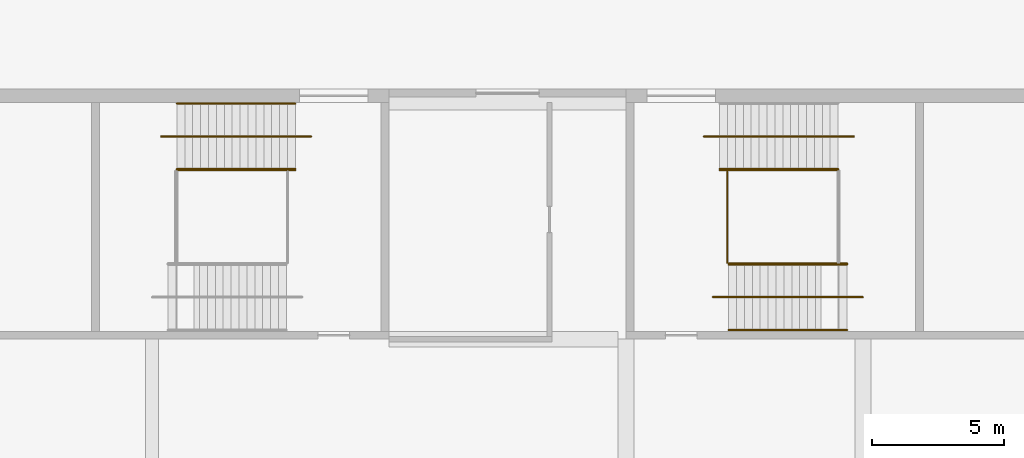
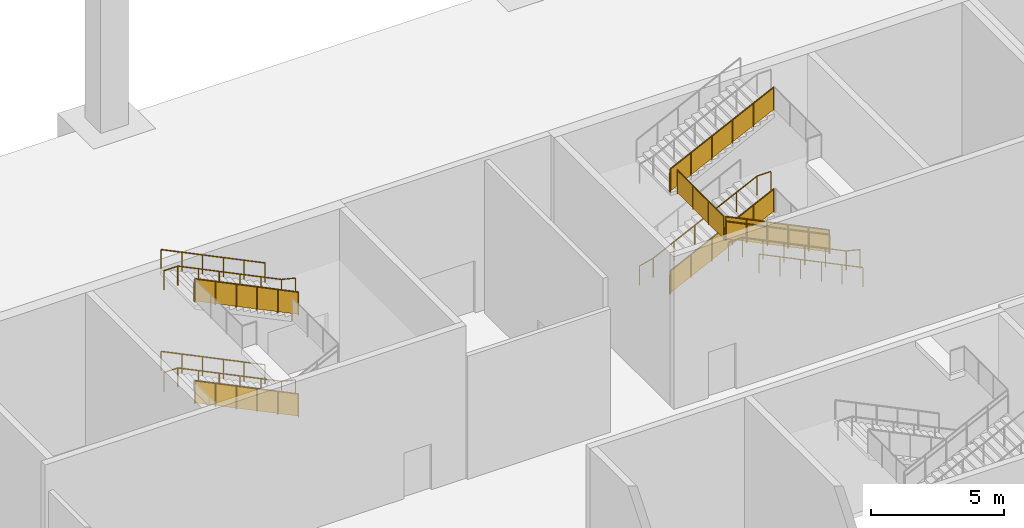
# One storey, part 86 of 92: 17 railings.
"""IFC4 building model written with IfcOpenShell, lengths in metres."""

from ifc_helpers import new_model, si_unit, direction, frame, origin, origin_2d, place, context, subcontext, project, spatial, polyline, circle, outline, extrude, material, type_object, element, save


model = new_model("IFC4")

# Units and contexts
model_context = context("Model", 3, precision=1e-05, world=origin(), true_north=direction((0.0, 1.0)))
body_context = subcontext(model_context, "Body", "Model", "MODEL_VIEW")
ifc_project = project(units=[si_unit("LENGTHUNIT", "METRE"), si_unit("AREAUNIT", "SQUARE_METRE"), si_unit("VOLUMEUNIT", "CUBIC_METRE"), si_unit("PLANEANGLEUNIT", "RADIAN"), si_unit("MASSUNIT", "GRAM", prefix="KILO")], contexts=[model_context])

# Site, building, storey
site_placement = place(None, origin())
site = spatial("IfcSite", under=ifc_project, at=site_placement, CompositionType="ELEMENT")
building_placement = place(site_placement, origin())
building = spatial("IfcBuilding", under=site, at=building_placement, Name="Silverbay Arena", CompositionType="ELEMENT")
storey_placement = place(building_placement, origin())
storey = spatial("IfcBuildingStorey", under=building, at=storey_placement, Name="L00", CompositionType="ELEMENT", Elevation=0.0)

# Railings
ifc_material_1 = material(Name="Stainless steel", Category="steel")
railing_type_1 = type_object("IfcRailingType", Name="Stair guard 1100", PredefinedType="GUARDRAIL", material=ifc_material_1)
railing_1_placement = place(storey_placement, frame((84.556884765625, 141.425048828125, 0.145751953125)))
element("IfcRailing", 1, at=railing_1_placement, inside=storey, type_object=railing_type_1, Name="Stair ST-N1 L00 to L01 flight 1 guard left", PredefinedType="GUARDRAIL", context=body_context, shape_type="SweptSolid", body=[
    extrude(circle(Radius=0.02392578125, at=origin_2d()), frame((0.0, 0.0, 1.076171875), z_axis=(0.899367854138, 0.0, 0.437192706873), x_axis=(0.0, 1.0, 0.0)), (0.0, 0.0, 1.0), 5.00341796875),
    extrude(outline(polyline([(-0.008056640625, 0.046142578125), (0.907958984375, 0.491455078125), (0.907958984375, 1.494384765625), (-0.008056640625, 1.049072265625), (-0.008056640625, 0.046142578125)])), frame((0.0, 0.0029296875, 0.0), z_axis=(0.0, -1.0, 0.0), x_axis=(1.0, 0.0, 0.0)), (0.0, 0.0, 1.0), 0.006103515625),
    extrude(outline(polyline([(-0.008056640625, 0.483642578125), (0.907958984375, 0.928955078125), (0.907958984375, 1.931884765625), (-0.008056640625, 1.486572265625), (-0.008056640625, 0.483642578125)])), frame((0.89990234375, 0.0029296875, 0.0), z_axis=(0.0, -1.0, 0.0), x_axis=(1.0, 0.0, 0.0)), (0.0, 0.0, 1.0), 0.006103515625),
    extrude(outline(polyline([(-0.008056640625, 0.921142578125), (0.907958984375, 1.366455078125), (0.907958984375, 2.369384765625), (-0.008056640625, 1.924072265625), (-0.008056640625, 0.921142578125)])), frame((1.800048828125, 0.0029296875, 0.0), z_axis=(0.0, -1.0, 0.0), x_axis=(1.0, 0.0, 0.0)), (0.0, 0.0, 1.0), 0.006103515625),
    extrude(outline(polyline([(-0.008056640625, 1.358642578125), (0.907958984375, 1.803955078125), (0.907958984375, 2.806884765625), (-0.008056640625, 2.361572265625), (-0.008056640625, 1.358642578125)])), frame((2.699951171875, 0.0029296875, 0.0), z_axis=(0.0, -1.0, 0.0), x_axis=(1.0, 0.0, 0.0)), (0.0, 0.0, 1.0), 0.006103515625),
    extrude(outline(polyline([(-0.008056640625, 1.796142578125), (0.907958984375, 2.241455078125), (0.907958984375, 3.244384765625), (-0.008056640625, 2.799072265625), (-0.008056640625, 1.796142578125)])), frame((3.60009765625, 0.0029296875, 0.0), z_axis=(0.0, -1.0, 0.0), x_axis=(1.0, 0.0, 0.0)), (0.0, 0.0, 1.0), 0.006103515625),
    extrude(circle(Radius=0.02099609375, at=origin_2d()), origin(), (0.0, 0.0, 1.0), 1.052001953125),
    extrude(circle(Radius=0.02099609375, at=origin_2d()), frame((0.89990234375, 0.0, 0.4375)), (0.0, 0.0, 1.0), 1.052001953125),
    extrude(circle(Radius=0.02099609375, at=origin_2d()), frame((1.800048828125, 0.0, 0.875)), (0.0, 0.0, 1.0), 1.052001953125),
    extrude(circle(Radius=0.02099609375, at=origin_2d()), frame((2.699951171875, 0.0, 1.3125)), (0.0, 0.0, 1.0), 1.052001953125),
    extrude(circle(Radius=0.02099609375, at=origin_2d()), frame((3.60009765625, 0.0, 1.75)), (0.0, 0.0, 1.0), 1.052001953125),
    extrude(circle(Radius=0.02099609375, at=origin_2d()), frame((4.5, 0.0, 2.1875)), (0.0, 0.0, 1.0), 1.052001953125),
])
railing_2_placement = place(storey_placement, frame((89.39990234375, 137.875, 2.479248046875)))
element("IfcRailing", 2, at=railing_2_placement, inside=storey, type_object=railing_type_1, Name="Stair ST-N1 L00 to L01 flight 2 guard right", PredefinedType="GUARDRAIL", context=body_context, shape_type="SweptSolid", body=[
    extrude(circle(Radius=0.02392578125, at=origin_2d()), frame((0.0, 0.0, 1.076171875), z_axis=(-0.899367854138, 0.0, 0.437192706873), x_axis=(0.0, -1.0, 0.0)), (0.0, 0.0, 1.0), 5.00341796875),
    extrude(outline(polyline([(-0.008056640625, 0.046142578125), (0.907958984375, 0.491455078125), (0.907958984375, 1.494384765625), (-0.008056640625, 1.049072265625), (-0.008056640625, 0.046142578125)])), frame((0.0, -0.0029296875, 0.0), z_axis=(0.0, 1.0, 0.0), x_axis=(-1.0, 0.0, 0.0)), (0.0, 0.0, 1.0), 0.006103515625),
    extrude(outline(polyline([(-0.008056640625, 0.483642578125), (0.907958984375, 0.928955078125), (0.907958984375, 1.931884765625), (-0.008056640625, 1.486572265625), (-0.008056640625, 0.483642578125)])), frame((-0.89990234375, -0.0029296875, 0.0), z_axis=(0.0, 1.0, 0.0), x_axis=(-1.0, 0.0, 0.0)), (0.0, 0.0, 1.0), 0.006103515625),
    extrude(outline(polyline([(-0.008056640625, 0.921142578125), (0.907958984375, 1.366455078125), (0.907958984375, 2.369384765625), (-0.008056640625, 1.924072265625), (-0.008056640625, 0.921142578125)])), frame((-1.800048828125, -0.0029296875, 0.0), z_axis=(0.0, 1.0, 0.0), x_axis=(-1.0, 0.0, 0.0)), (0.0, 0.0, 1.0), 0.006103515625),
    extrude(outline(polyline([(-0.008056640625, 1.358642578125), (0.907958984375, 1.803955078125), (0.907958984375, 2.806884765625), (-0.008056640625, 2.361572265625), (-0.008056640625, 1.358642578125)])), frame((-2.699951171875, -0.0029296875, 0.0), z_axis=(0.0, 1.0, 0.0), x_axis=(-1.0, 0.0, 0.0)), (0.0, 0.0, 1.0), 0.006103515625),
    extrude(outline(polyline([(-0.008056640625, 1.796142578125), (0.907958984375, 2.241455078125), (0.907958984375, 3.244384765625), (-0.008056640625, 2.799072265625), (-0.008056640625, 1.796142578125)])), frame((-3.60009765625, -0.0029296875, 0.0), z_axis=(0.0, 1.0, 0.0), x_axis=(-1.0, 0.0, 0.0)), (0.0, 0.0, 1.0), 0.006103515625),
    extrude(circle(Radius=0.02099609375, at=origin_2d()), origin(), (0.0, 0.0, 1.0), 1.052001953125),
    extrude(circle(Radius=0.02099609375, at=origin_2d()), frame((-0.89990234375, 0.0, 0.4375)), (0.0, 0.0, 1.0), 1.052001953125),
    extrude(circle(Radius=0.02099609375, at=origin_2d()), frame((-1.800048828125, 0.0, 0.875)), (0.0, 0.0, 1.0), 1.052001953125),
    extrude(circle(Radius=0.02099609375, at=origin_2d()), frame((-2.699951171875, 0.0, 1.3125)), (0.0, 0.0, 1.0), 1.052001953125),
    extrude(circle(Radius=0.02099609375, at=origin_2d()), frame((-3.60009765625, 0.0, 1.75)), (0.0, 0.0, 1.0), 1.052001953125),
    extrude(circle(Radius=0.02099609375, at=origin_2d()), frame((-4.5, 0.0, 2.1875)), (0.0, 0.0, 1.0), 1.052001953125),
])
railing_3_placement = place(storey_placement, frame((84.556884765625, 141.425048828125, 4.8125)))
element("IfcRailing", 3, at=railing_3_placement, inside=storey, type_object=railing_type_1, Name="Stair ST-N1 L00 to L01 flight 3 guard left", PredefinedType="GUARDRAIL", context=body_context, shape_type="SweptSolid", body=[
    extrude(circle(Radius=0.02392578125, at=origin_2d()), frame((0.0, 0.0, 1.076171875), z_axis=(0.899367854138, 0.0, 0.437192706873), x_axis=(0.0, 1.0, 0.0)), (0.0, 0.0, 1.0), 5.00341796875),
    extrude(outline(polyline([(-0.008056640625, 0.046142578125), (0.907958984375, 0.491455078125), (0.907958984375, 1.494384765625), (-0.008056640625, 1.049072265625), (-0.008056640625, 0.046142578125)])), frame((0.0, 0.0029296875, 0.0), z_axis=(0.0, -1.0, 0.0), x_axis=(1.0, 0.0, 0.0)), (0.0, 0.0, 1.0), 0.006103515625),
    extrude(outline(polyline([(-0.008056640625, 0.483642578125), (0.907958984375, 0.928955078125), (0.907958984375, 1.931884765625), (-0.008056640625, 1.486572265625), (-0.008056640625, 0.483642578125)])), frame((0.89990234375, 0.0029296875, 0.0), z_axis=(0.0, -1.0, 0.0), x_axis=(1.0, 0.0, 0.0)), (0.0, 0.0, 1.0), 0.006103515625),
    extrude(outline(polyline([(-0.008056640625, 0.921142578125), (0.907958984375, 1.366455078125), (0.907958984375, 2.369384765625), (-0.008056640625, 1.924072265625), (-0.008056640625, 0.921142578125)])), frame((1.800048828125, 0.0029296875, 0.0), z_axis=(0.0, -1.0, 0.0), x_axis=(1.0, 0.0, 0.0)), (0.0, 0.0, 1.0), 0.006103515625),
    extrude(outline(polyline([(-0.008056640625, 1.358642578125), (0.907958984375, 1.803955078125), (0.907958984375, 2.806884765625), (-0.008056640625, 2.361572265625), (-0.008056640625, 1.358642578125)])), frame((2.699951171875, 0.0029296875, 0.0), z_axis=(0.0, -1.0, 0.0), x_axis=(1.0, 0.0, 0.0)), (0.0, 0.0, 1.0), 0.006103515625),
    extrude(outline(polyline([(-0.008056640625, 1.796142578125), (0.907958984375, 2.241455078125), (0.907958984375, 3.244384765625), (-0.008056640625, 2.799072265625), (-0.008056640625, 1.796142578125)])), frame((3.60009765625, 0.0029296875, 0.0), z_axis=(0.0, -1.0, 0.0), x_axis=(1.0, 0.0, 0.0)), (0.0, 0.0, 1.0), 0.006103515625),
    extrude(circle(Radius=0.02099609375, at=origin_2d()), origin(), (0.0, 0.0, 1.0), 1.052001953125),
    extrude(circle(Radius=0.02099609375, at=origin_2d()), frame((0.89990234375, 0.0, 0.4375)), (0.0, 0.0, 1.0), 1.052001953125),
    extrude(circle(Radius=0.02099609375, at=origin_2d()), frame((1.800048828125, 0.0, 0.875)), (0.0, 0.0, 1.0), 1.052001953125),
    extrude(circle(Radius=0.02099609375, at=origin_2d()), frame((2.699951171875, 0.0, 1.3125)), (0.0, 0.0, 1.0), 1.052001953125),
    extrude(circle(Radius=0.02099609375, at=origin_2d()), frame((3.60009765625, 0.0, 1.75)), (0.0, 0.0, 1.0), 1.052001953125),
    extrude(circle(Radius=0.02099609375, at=origin_2d()), frame((4.5, 0.0, 2.1875)), (0.0, 0.0, 1.0), 1.052001953125),
])
railing_4_placement = place(storey_placement, frame((84.85009765625, 137.89990234375, 4.666748046875)))
element("IfcRailing", 4, at=railing_4_placement, inside=storey, type_object=railing_type_1, Name="Stair ST-N1 L00 to L01 landing 2 guard", PredefinedType="GUARDRAIL", context=body_context, shape_type="SweptSolid", body=[
    extrude(circle(Radius=0.02392578125, at=origin_2d()), frame((0.0, 0.0, 1.076171875), z_axis=(0.0, 1.0, 0.0), x_axis=(-1.0, 0.0, 0.0)), (0.0, 0.0, 1.0), 3.5),
    extrude(outline(polyline([(-0.008056640625, 0.050048828125), (1.174560546875, 0.050048828125), (1.174560546875, 1.052978515625), (-0.008056640625, 1.052978515625), (-0.008056640625, 0.050048828125)])), frame((-0.0029296875, 0.0, 0.0), z_axis=(1.0, 0.0, 0.0), x_axis=(0.0, 1.0, 0.0)), (0.0, 0.0, 1.0), 0.006103515625),
    extrude(outline(polyline([(-0.008056640625, 0.050048828125), (1.174560546875, 0.050048828125), (1.174560546875, 1.052978515625), (-0.008056640625, 1.052978515625), (-0.008056640625, 0.050048828125)])), frame((-0.0029296875, 1.166748046875, 0.0), z_axis=(1.0, 0.0, 0.0), x_axis=(0.0, 1.0, 0.0)), (0.0, 0.0, 1.0), 0.006103515625),
    extrude(outline(polyline([(-0.008056640625, 0.050048828125), (1.174560546875, 0.050048828125), (1.174560546875, 1.052978515625), (-0.008056640625, 1.052978515625), (-0.008056640625, 0.050048828125)])), frame((-0.0029296875, 2.333251953125, 0.0), z_axis=(1.0, 0.0, 0.0), x_axis=(0.0, 1.0, 0.0)), (0.0, 0.0, 1.0), 0.006103515625),
    extrude(circle(Radius=0.02099609375, at=origin_2d()), origin(), (0.0, 0.0, 1.0), 1.052001953125),
    extrude(circle(Radius=0.02099609375, at=origin_2d()), frame((0.0, 1.166748046875, 0.0)), (0.0, 0.0, 1.0), 1.052001953125),
    extrude(circle(Radius=0.02099609375, at=origin_2d()), frame((0.0, 2.333251953125, 0.0)), (0.0, 0.0, 1.0), 1.052001953125),
    extrude(circle(Radius=0.02099609375, at=origin_2d()), frame((0.0, 3.5, 0.0)), (0.0, 0.0, 1.0), 1.052001953125),
])
railing_5_placement = place(storey_placement, frame((68.443115234375, 141.425048828125, 0.145751953125)))
element("IfcRailing", 5, at=railing_5_placement, inside=storey, type_object=railing_type_1, Name="Stair ST-N5 L00 to L01 flight 1 guard left", PredefinedType="GUARDRAIL", context=body_context, shape_type="SweptSolid", body=[
    extrude(circle(Radius=0.02392578125, at=origin_2d()), frame((0.0, 0.0, 1.076171875), z_axis=(-0.899367854138, 0.0, 0.437192706873), x_axis=(0.0, -1.0, 0.0)), (0.0, 0.0, 1.0), 5.00341796875),
    extrude(outline(polyline([(-0.008056640625, 0.046142578125), (0.907958984375, 0.491455078125), (0.907958984375, 1.494384765625), (-0.008056640625, 1.049072265625), (-0.008056640625, 0.046142578125)])), frame((0.0, -0.0029296875, 0.0), z_axis=(0.0, 1.0, 0.0), x_axis=(-1.0, 0.0, 0.0)), (0.0, 0.0, 1.0), 0.006103515625),
    extrude(outline(polyline([(-0.008056640625, 0.483642578125), (0.907958984375, 0.928955078125), (0.907958984375, 1.931884765625), (-0.008056640625, 1.486572265625), (-0.008056640625, 0.483642578125)])), frame((-0.89990234375, -0.0029296875, 0.0), z_axis=(0.0, 1.0, 0.0), x_axis=(-1.0, 0.0, 0.0)), (0.0, 0.0, 1.0), 0.006103515625),
    extrude(outline(polyline([(-0.008056640625, 0.921142578125), (0.907958984375, 1.366455078125), (0.907958984375, 2.369384765625), (-0.008056640625, 1.924072265625), (-0.008056640625, 0.921142578125)])), frame((-1.800048828125, -0.0029296875, 0.0), z_axis=(0.0, 1.0, 0.0), x_axis=(-1.0, 0.0, 0.0)), (0.0, 0.0, 1.0), 0.006103515625),
    extrude(outline(polyline([(-0.008056640625, 1.358642578125), (0.907958984375, 1.803955078125), (0.907958984375, 2.806884765625), (-0.008056640625, 2.361572265625), (-0.008056640625, 1.358642578125)])), frame((-2.699951171875, -0.0029296875, 0.0), z_axis=(0.0, 1.0, 0.0), x_axis=(-1.0, 0.0, 0.0)), (0.0, 0.0, 1.0), 0.006103515625),
    extrude(outline(polyline([(-0.008056640625, 1.796142578125), (0.907958984375, 2.241455078125), (0.907958984375, 3.244384765625), (-0.008056640625, 2.799072265625), (-0.008056640625, 1.796142578125)])), frame((-3.60009765625, -0.0029296875, 0.0), z_axis=(0.0, 1.0, 0.0), x_axis=(-1.0, 0.0, 0.0)), (0.0, 0.0, 1.0), 0.006103515625),
    extrude(circle(Radius=0.02099609375, at=origin_2d()), origin(), (0.0, 0.0, 1.0), 1.052001953125),
    extrude(circle(Radius=0.02099609375, at=origin_2d()), frame((-0.89990234375, 0.0, 0.4375)), (0.0, 0.0, 1.0), 1.052001953125),
    extrude(circle(Radius=0.02099609375, at=origin_2d()), frame((-1.800048828125, 0.0, 0.875)), (0.0, 0.0, 1.0), 1.052001953125),
    extrude(circle(Radius=0.02099609375, at=origin_2d()), frame((-2.699951171875, 0.0, 1.3125)), (0.0, 0.0, 1.0), 1.052001953125),
    extrude(circle(Radius=0.02099609375, at=origin_2d()), frame((-3.60009765625, 0.0, 1.75)), (0.0, 0.0, 1.0), 1.052001953125),
    extrude(circle(Radius=0.02099609375, at=origin_2d()), frame((-4.5, 0.0, 2.1875)), (0.0, 0.0, 1.0), 1.052001953125),
])
railing_6_placement = place(storey_placement, frame((68.443115234375, 141.425048828125, 4.8125)))
element("IfcRailing", 6, at=railing_6_placement, inside=storey, type_object=railing_type_1, Name="Stair ST-N5 L00 to L01 flight 3 guard left", PredefinedType="GUARDRAIL", context=body_context, shape_type="SweptSolid", body=[
    extrude(circle(Radius=0.02392578125, at=origin_2d()), frame((0.0, 0.0, 1.076171875), z_axis=(-0.899367854138, 0.0, 0.437192706873), x_axis=(0.0, -1.0, 0.0)), (0.0, 0.0, 1.0), 5.00341796875),
    extrude(outline(polyline([(-0.008056640625, 0.046142578125), (0.907958984375, 0.491455078125), (0.907958984375, 1.494384765625), (-0.008056640625, 1.049072265625), (-0.008056640625, 0.046142578125)])), frame((0.0, -0.0029296875, 0.0), z_axis=(0.0, 1.0, 0.0), x_axis=(-1.0, 0.0, 0.0)), (0.0, 0.0, 1.0), 0.006103515625),
    extrude(outline(polyline([(-0.008056640625, 0.483642578125), (0.907958984375, 0.928955078125), (0.907958984375, 1.931884765625), (-0.008056640625, 1.486572265625), (-0.008056640625, 0.483642578125)])), frame((-0.89990234375, -0.0029296875, 0.0), z_axis=(0.0, 1.0, 0.0), x_axis=(-1.0, 0.0, 0.0)), (0.0, 0.0, 1.0), 0.006103515625),
    extrude(outline(polyline([(-0.008056640625, 0.921142578125), (0.907958984375, 1.366455078125), (0.907958984375, 2.369384765625), (-0.008056640625, 1.924072265625), (-0.008056640625, 0.921142578125)])), frame((-1.800048828125, -0.0029296875, 0.0), z_axis=(0.0, 1.0, 0.0), x_axis=(-1.0, 0.0, 0.0)), (0.0, 0.0, 1.0), 0.006103515625),
    extrude(outline(polyline([(-0.008056640625, 1.358642578125), (0.907958984375, 1.803955078125), (0.907958984375, 2.806884765625), (-0.008056640625, 2.361572265625), (-0.008056640625, 1.358642578125)])), frame((-2.699951171875, -0.0029296875, 0.0), z_axis=(0.0, 1.0, 0.0), x_axis=(-1.0, 0.0, 0.0)), (0.0, 0.0, 1.0), 0.006103515625),
    extrude(outline(polyline([(-0.008056640625, 1.796142578125), (0.907958984375, 2.241455078125), (0.907958984375, 3.244384765625), (-0.008056640625, 2.799072265625), (-0.008056640625, 1.796142578125)])), frame((-3.60009765625, -0.0029296875, 0.0), z_axis=(0.0, 1.0, 0.0), x_axis=(-1.0, 0.0, 0.0)), (0.0, 0.0, 1.0), 0.006103515625),
    extrude(circle(Radius=0.02099609375, at=origin_2d()), origin(), (0.0, 0.0, 1.0), 1.052001953125),
    extrude(circle(Radius=0.02099609375, at=origin_2d()), frame((-0.89990234375, 0.0, 0.4375)), (0.0, 0.0, 1.0), 1.052001953125),
    extrude(circle(Radius=0.02099609375, at=origin_2d()), frame((-1.800048828125, 0.0, 0.875)), (0.0, 0.0, 1.0), 1.052001953125),
    extrude(circle(Radius=0.02099609375, at=origin_2d()), frame((-2.699951171875, 0.0, 1.3125)), (0.0, 0.0, 1.0), 1.052001953125),
    extrude(circle(Radius=0.02099609375, at=origin_2d()), frame((-3.60009765625, 0.0, 1.75)), (0.0, 0.0, 1.0), 1.052001953125),
    extrude(circle(Radius=0.02099609375, at=origin_2d()), frame((-4.5, 0.0, 2.1875)), (0.0, 0.0, 1.0), 1.052001953125),
])
ifc_material_2 = material(Name="Stainless steel", Category="steel")
railing_type_2 = type_object("IfcRailingType", Name="Stair handrail 900", PredefinedType="HANDRAIL", material=ifc_material_2)
railing_7_placement = place(storey_placement, frame((84.556884765625, 141.464111328125, 0.145751953125)))
element("IfcRailing", 7, at=railing_7_placement, inside=storey, type_object=railing_type_2, Name="Stair ST-N1 L00 to L01 flight 1 handrail left", PredefinedType="HANDRAIL", context=body_context, shape_type="SweptSolid", body=[
    extrude(circle(Radius=0.02392578125, at=origin_2d()), frame((0.0, 0.0, 0.8759765625), z_axis=(0.899367854138, 0.0, 0.437192706873), x_axis=(0.0, 1.0, 0.0)), (0.0, 0.0, 1.0), 5.00341796875),
    extrude(circle(Radius=0.02099609375, at=origin_2d()), origin(), (0.0, 0.0, 1.0), 0.851806640625),
    extrude(circle(Radius=0.02099609375, at=origin_2d()), frame((0.89990234375, 0.0, 0.4375)), (0.0, 0.0, 1.0), 0.851806640625),
    extrude(circle(Radius=0.02099609375, at=origin_2d()), frame((1.800048828125, 0.0, 0.875)), (0.0, 0.0, 1.0), 0.851806640625),
    extrude(circle(Radius=0.02099609375, at=origin_2d()), frame((2.699951171875, 0.0, 1.3125)), (0.0, 0.0, 1.0), 0.851806640625),
    extrude(circle(Radius=0.02099609375, at=origin_2d()), frame((3.60009765625, 0.0, 1.75)), (0.0, 0.0, 1.0), 0.851806640625),
    extrude(circle(Radius=0.02099609375, at=origin_2d()), frame((4.5, 0.0, 2.1875)), (0.0, 0.0, 1.0), 0.851806640625),
])
railing_8_placement = place(storey_placement, frame((83.956787109375, 142.699951171875, 0.0)))
element("IfcRailing", 8, at=railing_8_placement, inside=storey, type_object=railing_type_2, Name="Stair ST-N1 L00 to L01 flight 1 central handrail", PredefinedType="HANDRAIL", context=body_context, shape_type="SweptSolid", body=[
    extrude(circle(Radius=0.02392578125, at=origin_2d()), frame((0.0, 0.0, 0.8759765625), z_axis=(0.971748522905, 0.0, 0.236018660771), x_axis=(0.0, 1.0, 0.0)), (0.0, 0.0, 1.0), 0.617431640625),
    extrude(circle(Radius=0.02392578125, at=origin_2d()), frame((0.60009765625, 0.0, 1.021484375), z_axis=(0.899367854138, 0.0, 0.437192706873), x_axis=(0.0, 1.0, 0.0)), (0.0, 0.0, 1.0), 5.00341796875),
    extrude(circle(Radius=0.02392578125, at=origin_2d()), frame((5.10009765625, 0.0, 3.208984375), z_axis=(1.0, 0.0, 0.0), x_axis=(0.0, 1.0, 0.0)), (0.0, 0.0, 1.0), 0.60009765625),
    extrude(circle(Radius=0.02099609375, at=origin_2d()), origin(), (0.0, 0.0, 1.0), 0.851806640625),
    extrude(circle(Radius=0.02099609375, at=origin_2d()), frame((0.60009765625, 0.0, 0.145751953125)), (0.0, 0.0, 1.0), 0.851806640625),
    extrude(circle(Radius=0.02099609375, at=origin_2d()), frame((1.5, 0.0, 0.583251953125)), (0.0, 0.0, 1.0), 0.851806640625),
    extrude(circle(Radius=0.02099609375, at=origin_2d()), frame((2.400146484375, 0.0, 1.020751953125)), (0.0, 0.0, 1.0), 0.851806640625),
    extrude(circle(Radius=0.02099609375, at=origin_2d()), frame((3.300048828125, 0.0, 1.458251953125)), (0.0, 0.0, 1.0), 0.851806640625),
    extrude(circle(Radius=0.02099609375, at=origin_2d()), frame((4.2001953125, 0.0, 1.895751953125)), (0.0, 0.0, 1.0), 0.851806640625),
    extrude(circle(Radius=0.02099609375, at=origin_2d()), frame((5.10009765625, 0.0, 2.333251953125)), (0.0, 0.0, 1.0), 0.851806640625),
    extrude(circle(Radius=0.02099609375, at=origin_2d()), frame((5.7001953125, 0.0, 2.333251953125)), (0.0, 0.0, 1.0), 0.851806640625),
])
for number, where, name in (
    (9, (89.39990234375, 135.35009765625, 2.479248046875), "Stair ST-N1 L00 to L01 flight 2 handrail left"),
    (10, (89.39990234375, 137.8359375, 2.479248046875), "Stair ST-N1 L00 to L01 flight 2 handrail right"),
):
    element("IfcRailing", number, at=place(storey_placement, frame(where)), inside=storey, type_object=railing_type_2, Name=name, PredefinedType="HANDRAIL", context=body_context, shape_type="SweptSolid", body=[
        extrude(circle(Radius=0.02392578125, at=origin_2d()), frame((0.0, 0.0, 0.8759765625), z_axis=(-0.899367854138, 0.0, 0.437192706873), x_axis=(0.0, -1.0, 0.0)), (0.0, 0.0, 1.0), 5.00341796875),
        extrude(circle(Radius=0.02099609375, at=origin_2d()), origin(), (0.0, 0.0, 1.0), 0.851806640625),
        extrude(circle(Radius=0.02099609375, at=origin_2d()), frame((-0.89990234375, 0.0, 0.4375)), (0.0, 0.0, 1.0), 0.851806640625),
        extrude(circle(Radius=0.02099609375, at=origin_2d()), frame((-1.800048828125, 0.0, 0.875)), (0.0, 0.0, 1.0), 0.851806640625),
        extrude(circle(Radius=0.02099609375, at=origin_2d()), frame((-2.699951171875, 0.0, 1.3125)), (0.0, 0.0, 1.0), 0.851806640625),
        extrude(circle(Radius=0.02099609375, at=origin_2d()), frame((-3.60009765625, 0.0, 1.75)), (0.0, 0.0, 1.0), 0.851806640625),
        extrude(circle(Radius=0.02099609375, at=origin_2d()), frame((-4.5, 0.0, 2.1875)), (0.0, 0.0, 1.0), 0.851806640625),
    ])
railing_9_placement = place(storey_placement, frame((90.0, 136.60009765625, 2.333251953125)))
element("IfcRailing", 11, at=railing_9_placement, inside=storey, type_object=railing_type_2, Name="Stair ST-N1 L00 to L01 flight 2 central handrail", PredefinedType="HANDRAIL", context=body_context, shape_type="SweptSolid", body=[
    extrude(circle(Radius=0.02392578125, at=origin_2d()), frame((0.0, 0.0, 0.8759765625), z_axis=(-0.971657787874, 0.0, 0.236391927237), x_axis=(0.0, -1.0, 0.0)), (0.0, 0.0, 1.0), 0.61767578125),
    extrude(circle(Radius=0.02392578125, at=origin_2d()), frame((-0.60009765625, 0.0, 1.02197265625), z_axis=(-0.899367854138, 0.0, 0.437192706873), x_axis=(0.0, -1.0, 0.0)), (0.0, 0.0, 1.0), 5.00341796875),
    extrude(circle(Radius=0.02392578125, at=origin_2d()), frame((-5.10009765625, 0.0, 3.20947265625), z_axis=(-1.0, 0.0, 0.0), x_axis=(0.0, -1.0, 0.0)), (0.0, 0.0, 1.0), 0.599853515625),
    extrude(circle(Radius=0.02099609375, at=origin_2d()), origin(), (0.0, 0.0, 1.0), 0.851806640625),
    extrude(circle(Radius=0.02099609375, at=origin_2d()), frame((-0.60009765625, 0.0, 0.14599609375)), (0.0, 0.0, 1.0), 0.851806640625),
    extrude(circle(Radius=0.02099609375, at=origin_2d()), frame((-1.5, 0.0, 0.58349609375)), (0.0, 0.0, 1.0), 0.851806640625),
    extrude(circle(Radius=0.02099609375, at=origin_2d()), frame((-2.400146484375, 0.0, 1.02099609375)), (0.0, 0.0, 1.0), 0.851806640625),
    extrude(circle(Radius=0.02099609375, at=origin_2d()), frame((-3.300048828125, 0.0, 1.45849609375)), (0.0, 0.0, 1.0), 0.851806640625),
    extrude(circle(Radius=0.02099609375, at=origin_2d()), frame((-4.2001953125, 0.0, 1.89599609375)), (0.0, 0.0, 1.0), 0.851806640625),
    extrude(circle(Radius=0.02099609375, at=origin_2d()), frame((-5.10009765625, 0.0, 2.33349609375)), (0.0, 0.0, 1.0), 0.851806640625),
    extrude(circle(Radius=0.02099609375, at=origin_2d()), frame((-5.699951171875, 0.0, 2.33349609375)), (0.0, 0.0, 1.0), 0.851806640625),
])
railing_10_placement = place(storey_placement, frame((84.556884765625, 141.464111328125, 4.8125)))
element("IfcRailing", 12, at=railing_10_placement, inside=storey, type_object=railing_type_2, Name="Stair ST-N1 L00 to L01 flight 3 handrail left", PredefinedType="HANDRAIL", context=body_context, shape_type="SweptSolid", body=[
    extrude(circle(Radius=0.02392578125, at=origin_2d()), frame((0.0, 0.0, 0.8759765625), z_axis=(0.899367854138, 0.0, 0.437192706873), x_axis=(0.0, 1.0, 0.0)), (0.0, 0.0, 1.0), 5.00341796875),
    extrude(circle(Radius=0.02099609375, at=origin_2d()), origin(), (0.0, 0.0, 1.0), 0.851806640625),
    extrude(circle(Radius=0.02099609375, at=origin_2d()), frame((0.89990234375, 0.0, 0.4375)), (0.0, 0.0, 1.0), 0.851806640625),
    extrude(circle(Radius=0.02099609375, at=origin_2d()), frame((1.800048828125, 0.0, 0.875)), (0.0, 0.0, 1.0), 0.851806640625),
    extrude(circle(Radius=0.02099609375, at=origin_2d()), frame((2.699951171875, 0.0, 1.3125)), (0.0, 0.0, 1.0), 0.851806640625),
    extrude(circle(Radius=0.02099609375, at=origin_2d()), frame((3.60009765625, 0.0, 1.75)), (0.0, 0.0, 1.0), 0.851806640625),
    extrude(circle(Radius=0.02099609375, at=origin_2d()), frame((4.5, 0.0, 2.1875)), (0.0, 0.0, 1.0), 0.851806640625),
])
railing_11_placement = place(storey_placement, frame((68.443115234375, 143.949951171875, 0.145751953125)))
element("IfcRailing", 13, at=railing_11_placement, inside=storey, type_object=railing_type_2, Name="Stair ST-N5 L00 to L01 flight 1 handrail right", PredefinedType="HANDRAIL", context=body_context, shape_type="SweptSolid", body=[
    extrude(circle(Radius=0.02392578125, at=origin_2d()), frame((0.0, 0.0, 0.8759765625), z_axis=(-0.899367854138, 0.0, 0.437192706873), x_axis=(0.0, -1.0, 0.0)), (0.0, 0.0, 1.0), 5.00341796875),
    extrude(circle(Radius=0.02099609375, at=origin_2d()), origin(), (0.0, 0.0, 1.0), 0.851806640625),
    extrude(circle(Radius=0.02099609375, at=origin_2d()), frame((-0.89990234375, 0.0, 0.4375)), (0.0, 0.0, 1.0), 0.851806640625),
    extrude(circle(Radius=0.02099609375, at=origin_2d()), frame((-1.800048828125, 0.0, 0.875)), (0.0, 0.0, 1.0), 0.851806640625),
    extrude(circle(Radius=0.02099609375, at=origin_2d()), frame((-2.699951171875, 0.0, 1.3125)), (0.0, 0.0, 1.0), 0.851806640625),
    extrude(circle(Radius=0.02099609375, at=origin_2d()), frame((-3.60009765625, 0.0, 1.75)), (0.0, 0.0, 1.0), 0.851806640625),
    extrude(circle(Radius=0.02099609375, at=origin_2d()), frame((-4.5, 0.0, 2.1875)), (0.0, 0.0, 1.0), 0.851806640625),
])
railing_12_placement = place(storey_placement, frame((69.043212890625, 142.699951171875, 0.0)))
element("IfcRailing", 14, at=railing_12_placement, inside=storey, type_object=railing_type_2, Name="Stair ST-N5 L00 to L01 flight 1 central handrail", PredefinedType="HANDRAIL", context=body_context, shape_type="SweptSolid", body=[
    extrude(circle(Radius=0.02392578125, at=origin_2d()), frame((0.0, 0.0, 0.8759765625), z_axis=(-0.971748522905, 0.0, 0.236018660771), x_axis=(0.0, -1.0, 0.0)), (0.0, 0.0, 1.0), 0.617431640625),
    extrude(circle(Radius=0.02392578125, at=origin_2d()), frame((-0.60009765625, 0.0, 1.021484375), z_axis=(-0.899367854138, 0.0, 0.437192706873), x_axis=(0.0, -1.0, 0.0)), (0.0, 0.0, 1.0), 5.00341796875),
    extrude(circle(Radius=0.02392578125, at=origin_2d()), frame((-5.10009765625, 0.0, 3.208984375), z_axis=(-1.0, 0.0, 0.0), x_axis=(0.0, -1.0, 0.0)), (0.0, 0.0, 1.0), 0.60009765625),
    extrude(circle(Radius=0.02099609375, at=origin_2d()), origin(), (0.0, 0.0, 1.0), 0.851806640625),
    extrude(circle(Radius=0.02099609375, at=origin_2d()), frame((-0.60009765625, 0.0, 0.145751953125)), (0.0, 0.0, 1.0), 0.851806640625),
    extrude(circle(Radius=0.02099609375, at=origin_2d()), frame((-1.5, 0.0, 0.583251953125)), (0.0, 0.0, 1.0), 0.851806640625),
    extrude(circle(Radius=0.02099609375, at=origin_2d()), frame((-2.400146484375, 0.0, 1.020751953125)), (0.0, 0.0, 1.0), 0.851806640625),
    extrude(circle(Radius=0.02099609375, at=origin_2d()), frame((-3.300048828125, 0.0, 1.458251953125)), (0.0, 0.0, 1.0), 0.851806640625),
    extrude(circle(Radius=0.02099609375, at=origin_2d()), frame((-4.2001953125, 0.0, 1.895751953125)), (0.0, 0.0, 1.0), 0.851806640625),
    extrude(circle(Radius=0.02099609375, at=origin_2d()), frame((-5.10009765625, 0.0, 2.333251953125)), (0.0, 0.0, 1.0), 0.851806640625),
    extrude(circle(Radius=0.02099609375, at=origin_2d()), frame((-5.7001953125, 0.0, 2.333251953125)), (0.0, 0.0, 1.0), 0.851806640625),
])
for number, where, name in (
    (15, (68.443115234375, 141.464111328125, 4.8125), "Stair ST-N5 L00 to L01 flight 3 handrail left"),
    (16, (68.443115234375, 143.949951171875, 4.8125), "Stair ST-N5 L00 to L01 flight 3 handrail right"),
):
    element("IfcRailing", number, at=place(storey_placement, frame(where)), inside=storey, type_object=railing_type_2, Name=name, PredefinedType="HANDRAIL", context=body_context, shape_type="SweptSolid", body=[
        extrude(circle(Radius=0.02392578125, at=origin_2d()), frame((0.0, 0.0, 0.8759765625), z_axis=(-0.899367854138, 0.0, 0.437192706873), x_axis=(0.0, -1.0, 0.0)), (0.0, 0.0, 1.0), 5.00341796875),
        extrude(circle(Radius=0.02099609375, at=origin_2d()), origin(), (0.0, 0.0, 1.0), 0.851806640625),
        extrude(circle(Radius=0.02099609375, at=origin_2d()), frame((-0.89990234375, 0.0, 0.4375)), (0.0, 0.0, 1.0), 0.851806640625),
        extrude(circle(Radius=0.02099609375, at=origin_2d()), frame((-1.800048828125, 0.0, 0.875)), (0.0, 0.0, 1.0), 0.851806640625),
        extrude(circle(Radius=0.02099609375, at=origin_2d()), frame((-2.699951171875, 0.0, 1.3125)), (0.0, 0.0, 1.0), 0.851806640625),
        extrude(circle(Radius=0.02099609375, at=origin_2d()), frame((-3.60009765625, 0.0, 1.75)), (0.0, 0.0, 1.0), 0.851806640625),
        extrude(circle(Radius=0.02099609375, at=origin_2d()), frame((-4.5, 0.0, 2.1875)), (0.0, 0.0, 1.0), 0.851806640625),
    ])
railing_13_placement = place(storey_placement, frame((69.043212890625, 142.699951171875, 4.666748046875)))
element("IfcRailing", 17, at=railing_13_placement, inside=storey, type_object=railing_type_2, Name="Stair ST-N5 L00 to L01 flight 3 central handrail", PredefinedType="HANDRAIL", context=body_context, shape_type="SweptSolid", body=[
    extrude(circle(Radius=0.02392578125, at=origin_2d()), frame((0.0, 0.0, 0.8759765625), z_axis=(-0.971748522905, 0.0, 0.236018660771), x_axis=(0.0, -1.0, 0.0)), (0.0, 0.0, 1.0), 0.617431640625),
    extrude(circle(Radius=0.02392578125, at=origin_2d()), frame((-0.60009765625, 0.0, 1.021484375), z_axis=(-0.899367854138, 0.0, 0.437192706873), x_axis=(0.0, -1.0, 0.0)), (0.0, 0.0, 1.0), 5.00341796875),
    extrude(circle(Radius=0.02392578125, at=origin_2d()), frame((-5.10009765625, 0.0, 3.208984375), z_axis=(-1.0, 0.0, 0.0), x_axis=(0.0, -1.0, 0.0)), (0.0, 0.0, 1.0), 0.60009765625),
    extrude(circle(Radius=0.02099609375, at=origin_2d()), origin(), (0.0, 0.0, 1.0), 0.851806640625),
    extrude(circle(Radius=0.02099609375, at=origin_2d()), frame((-0.60009765625, 0.0, 0.145751953125)), (0.0, 0.0, 1.0), 0.851806640625),
    extrude(circle(Radius=0.02099609375, at=origin_2d()), frame((-1.5, 0.0, 0.583251953125)), (0.0, 0.0, 1.0), 0.851806640625),
    extrude(circle(Radius=0.02099609375, at=origin_2d()), frame((-2.400146484375, 0.0, 1.020751953125)), (0.0, 0.0, 1.0), 0.851806640625),
    extrude(circle(Radius=0.02099609375, at=origin_2d()), frame((-3.300048828125, 0.0, 1.458251953125)), (0.0, 0.0, 1.0), 0.851806640625),
    extrude(circle(Radius=0.02099609375, at=origin_2d()), frame((-4.2001953125, 0.0, 1.895751953125)), (0.0, 0.0, 1.0), 0.851806640625),
    extrude(circle(Radius=0.02099609375, at=origin_2d()), frame((-5.10009765625, 0.0, 2.333251953125)), (0.0, 0.0, 1.0), 0.851806640625),
    extrude(circle(Radius=0.02099609375, at=origin_2d()), frame((-5.7001953125, 0.0, 2.333251953125)), (0.0, 0.0, 1.0), 0.851806640625),
])

save(model, "model.ifc")
